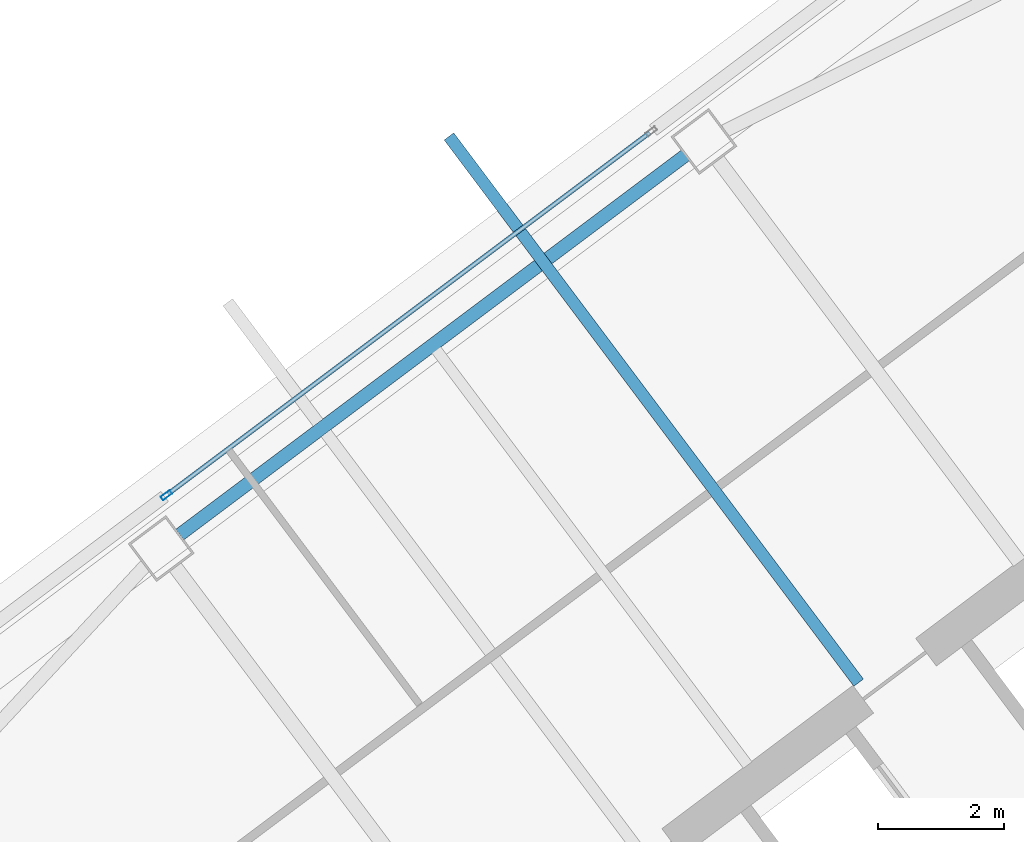
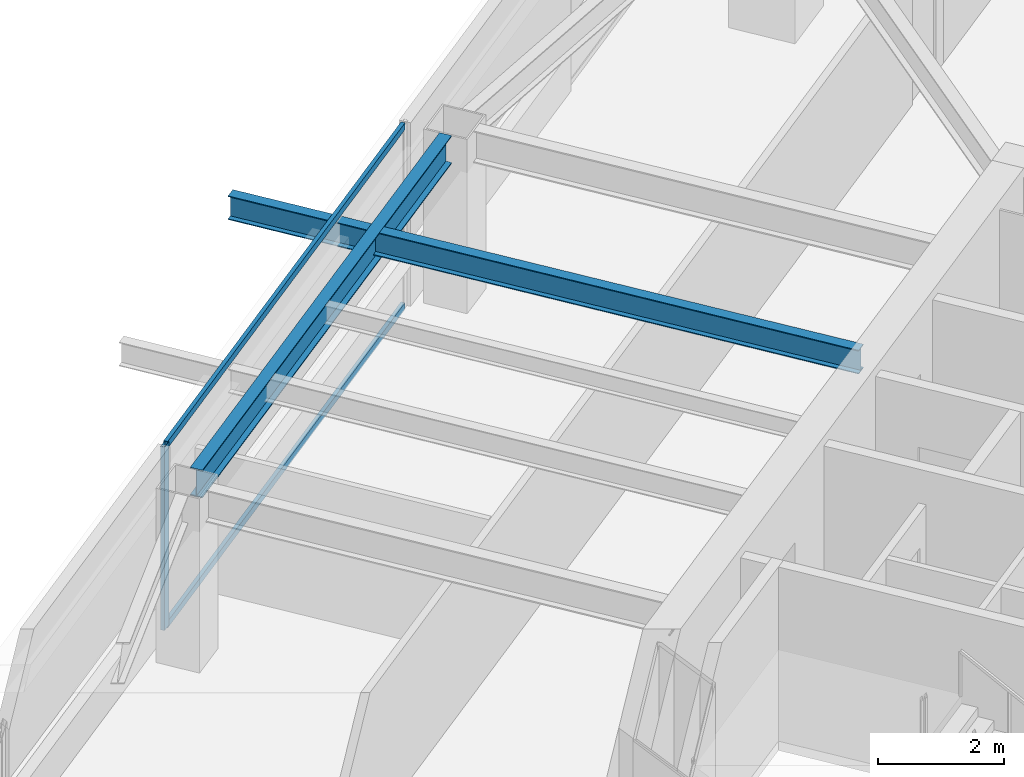
# One storey, part 25 of 41: 3 members, 2 beams, 1 element without a shape of its own.
"""IFC4 building model written with IfcOpenShell, lengths in metres."""

from ifc_helpers import new_model, si_unit, direction, frame, origin, origin_2d, place, context, subcontext, project, spatial, hollow_rectangle, i_section, extrude, material, material_profile, profile_set, type_object, element, aggregate, save


model = new_model("IFC4")

# Units and contexts
model_context = context("Model", 3, precision=1e-05, world=origin(), true_north=direction((0.0, 1.0)))
body_context = subcontext(model_context, "Body", "Model", "MODEL_VIEW")
ifc_project = project(units=[si_unit("LENGTHUNIT", "METRE"), si_unit("AREAUNIT", "SQUARE_METRE"), si_unit("VOLUMEUNIT", "CUBIC_METRE"), si_unit("PLANEANGLEUNIT", "RADIAN"), si_unit("MASSUNIT", "GRAM", prefix="KILO")], contexts=[model_context])

# Site, building, storey
site_placement = place(None, origin())
site = spatial("IfcSite", under=ifc_project, at=site_placement, CompositionType="ELEMENT")
building_placement = place(site_placement, origin())
building = spatial("IfcBuilding", under=site, at=building_placement, Name="Tashvorn Skyway Center", CompositionType="ELEMENT")
storey_placement = place(building_placement, frame((0.0, 0.0, 174.75)))
storey = spatial("IfcBuildingStorey", under=building, at=storey_placement, Name="L47", CompositionType="ELEMENT", Elevation=174.75)

# Beams
ifc_material_1 = material(Name="Steel ASTM A992 Grade 50", Category="steel")
ifc_material_profile_1 = material_profile(ifc_material_1, i_section(OverallWidth=0.19091796875, OverallDepth=0.4599609375, WebThickness=0.010009765625, FlangeThickness=0.01611328125, at=origin_2d()), Name="W18X55")
ifc_profile_set_1 = profile_set([ifc_material_profile_1], Name="Steel ASTM A992 Grade 50")
beam_type_1 = type_object("IfcBeamType", Name="BM-JOIST-W18X55", PredefinedType="JOIST", material=ifc_profile_set_1)
beam_1_placement = place(storey_placement, frame((111.092041015625, 39.5439453125, 3.139892578125), z_axis=(-0.599996406394, 0.800002695192, 0.0), x_axis=(-0.800002695192, -0.599996406394, 0.0)))
element("IfcBeam", 1, at=beam_1_placement, inside=storey, type_object=beam_type_1, Name="Tower 2 L48 Terrace Cantilever Outlooker 2", PredefinedType="JOIST", context=body_context, shape_type="SweptSolid", body=[
    extrude(i_section(OverallWidth=0.19091796875, OverallDepth=0.4599609375, WebThickness=0.010009765625, FlangeThickness=0.01611328125, at=origin_2d()), origin(), (0.0, 0.0, 1.0), 10.8701171875),
])
ifc_material_profile_2 = material_profile(ifc_material_1, i_section(OverallWidth=0.2109375, OverallDepth=0.5390625, WebThickness=0.01171875, FlangeThickness=0.018798828125, at=origin_2d()), Name="W21X73")
ifc_profile_set_2 = profile_set([ifc_material_profile_2], Name="Steel ASTM A992 Grade 50")
beam_type_2 = type_object("IfcBeamType", Name="BM-SPANDREL-W21X73", PredefinedType="SPANDREL", material=ifc_profile_set_2)
beam_2_placement = place(storey_placement, frame((108.333984375, 47.93798828125, 3.1005859375), z_axis=(-0.800008736549, -0.599988351091, 0.0), x_axis=(0.599988351091, -0.800008736549, 0.0)))
element("IfcBeam", 2, at=beam_2_placement, inside=storey, type_object=beam_type_2, Name="Tower 2 L47 Spandrel Beam 08", PredefinedType="SPANDREL", context=body_context, shape_type="SweptSolid", body=[
    extrude(i_section(OverallWidth=0.2109375, OverallDepth=0.5390625, WebThickness=0.01171875, FlangeThickness=0.018798828125, at=origin_2d()), origin(), (0.0, 0.0, 1.0), 10.06005859375),
])

# Curtain wall, members
ifc_material_2 = material(Name="Thermally broken bronze-anodized aluminium 6063-T6", Category="aluminium")
curtain_wall_type = type_object("IfcCurtainWallType", Name="CW-CW-Z4", PredefinedType="NOTDEFINED", material=ifc_material_2)
curtain_wall_placement = place(storey_placement, origin())
curtain_wall = element("IfcCurtainWall", 3, at=curtain_wall_placement, inside=storey, type_object=curtain_wall_type, Name="Tower 2 L47 North Unitised Curtain Wall Glazing Group 2", PredefinedType="NOTDEFINED")
ifc_material_profile_3 = material_profile(ifc_material_2, hollow_rectangle(XDim=0.070068359375, YDim=0.179931640625, WallThickness=0.00390625, at=origin_2d()), Name="ALU-MULL-70x180")
ifc_profile_set_3 = profile_set([ifc_material_profile_3], Name="Thermally broken bronze-anodized aluminium 6063-T6")
member_type_1 = type_object("IfcMemberType", Name="CWM-CW-Z4", PredefinedType="MULLION", material=ifc_profile_set_3)
member_1_placement = place(storey_placement, frame((100.072021484375, 42.529052734375, 0.0), z_axis=(0.0, 0.0, 1.0), x_axis=(-0.600000000002, 0.799999999998, 0.0)))
member_1 = element("IfcMember", 4, at=member_1_placement, type_object=member_type_1, Name="CW-Z4 mullion 1", PredefinedType="MULLION", context=body_context, shape_type="SweptSolid", body=[
    extrude(hollow_rectangle(XDim=0.070068359375, YDim=0.179931640625, WallThickness=0.00390625, at=origin_2d()), origin(), (0.0, 0.0, 1.0), 3.550048828125),
])
ifc_material_profile_4 = material_profile(ifc_material_2, hollow_rectangle(XDim=0.070068359375, YDim=0.1298828125, WallThickness=0.00390625, at=origin_2d()), Name="ALU-TRAN-70x130")
ifc_profile_set_4 = profile_set([ifc_material_profile_4], Name="Thermally broken bronze-anodized aluminium 6063-T6")
member_type_2 = type_object("IfcMemberType", Name="CWT-CW-Z4", PredefinedType="USERDEFINED", material=ifc_profile_set_4)
member_2_placement = place(storey_placement, frame((100.10009765625, 42.550048828125, 0.034912109375), z_axis=(0.799990825408, 0.600012232595, 0.0), x_axis=(-0.600012232595, 0.799990825408, 0.0)))
member_2 = element("IfcMember", 5, at=member_2_placement, type_object=member_type_2, Name="CW-Z4 transom 1.1", ObjectType="TRANSOM", PredefinedType="USERDEFINED", context=body_context, shape_type="SweptSolid", body=[
    extrude(hollow_rectangle(XDim=0.070068359375, YDim=0.1298828125, WallThickness=0.00390625, at=origin_2d()), origin(), (0.0, 0.0, 1.0), 9.579833984375),
])
member_3_placement = place(storey_placement, frame((100.10009765625, 42.550048828125, 3.514892578125), z_axis=(0.799990825408, 0.600012232595, 0.0), x_axis=(-0.600012232595, 0.799990825408, 0.0)))
member_3 = element("IfcMember", 6, at=member_3_placement, type_object=member_type_2, Name="CW-Z4 transom 1.2", ObjectType="TRANSOM", PredefinedType="USERDEFINED", context=body_context, shape_type="SweptSolid", body=[
    extrude(hollow_rectangle(XDim=0.070068359375, YDim=0.1298828125, WallThickness=0.00390625, at=origin_2d()), origin(), (0.0, 0.0, 1.0), 9.579833984375),
])
aggregate(curtain_wall, [member_1, member_2, member_3])

save(model, "model.ifc")
